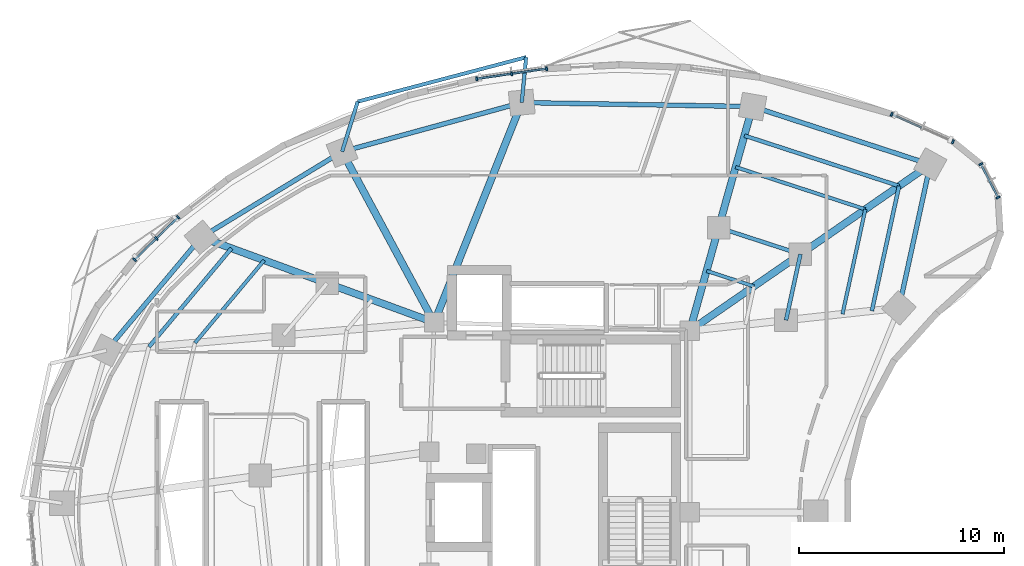
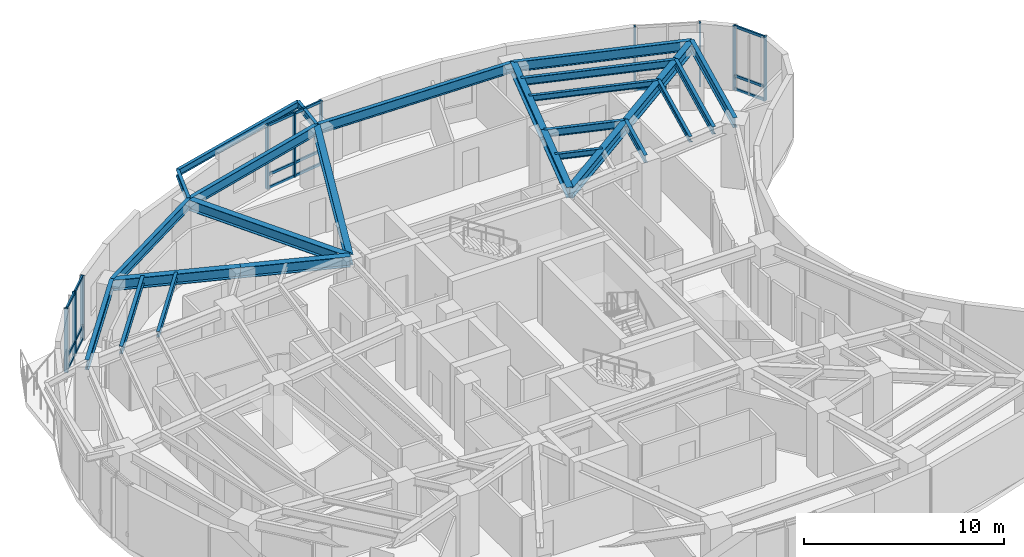
# One storey, part 5 of 15: 26 beams, 26 members, 4 elements without a shape of their own.
"""IFC4 building model written with IfcOpenShell, lengths in metres."""

from ifc_helpers import new_model, si_unit, direction, frame, origin, origin_2d, place, context, subcontext, project, spatial, rectangle, i_section, extrude, material, layer, layer_set, material_profile, profile_set, type_object, element, aggregate, save


model = new_model("IFC4")

# Units and contexts
model_context = context("Model", 3, precision=1e-05, world=origin(), true_north=direction((0.0, 1.0)))
body_context = subcontext(model_context, "Body", "Model", "MODEL_VIEW")
ifc_project = project(units=[si_unit("LENGTHUNIT", "METRE"), si_unit("AREAUNIT", "SQUARE_METRE"), si_unit("VOLUMEUNIT", "CUBIC_METRE"), si_unit("PLANEANGLEUNIT", "RADIAN"), si_unit("MASSUNIT", "GRAM", prefix="KILO")], contexts=[model_context])

# Site, building, storey
site_placement = place(None, origin())
site = spatial("IfcSite", under=ifc_project, at=site_placement, CompositionType="ELEMENT")
building_placement = place(site_placement, origin())
building = spatial("IfcBuilding", under=site, at=building_placement, Name="Korentha Bioscience Tower", CompositionType="ELEMENT")
storey_placement = place(building_placement, frame((0.0, 0.0, 98.39990234375)))
storey = spatial("IfcBuildingStorey", under=building, at=storey_placement, Name="L22", CompositionType="ELEMENT", Elevation=98.39990234375)

# Beams
ifc_material_1 = material(Name="Steel S355", Category="steel")
ifc_material_profile_1 = material_profile(ifc_material_1, i_section(OverallWidth=0.18994140625, OverallDepth=0.45703125, WebThickness=0.009033203125, FlangeThickness=0.014404296875, at=origin_2d()), Name="Steel S355")
ifc_profile_set_1 = profile_set([ifc_material_profile_1], Name="Steel S355 (MB-460)")
beam_type_1 = type_object("IfcBeamType", Name="Mid-Ring Tie Girder W460x74", PredefinedType="BEAM", material=ifc_profile_set_1)
beam_1_placement = place(storey_placement, frame((42.93603515625, 39.57470703125, 3.671630859375), z_axis=(-0.95087582253, 0.309572560361, 0.0), x_axis=(-0.309572560361, -0.95087582253, 0.0)))
element("IfcBeam", 1, at=beam_1_placement, inside=storey, type_object=beam_type_1, Name="L22 Mid-Ring Tie Girder 01", PredefinedType="BEAM", context=body_context, shape_type="SweptSolid", body=[
    extrude(i_section(OverallWidth=0.18994140625, OverallDepth=0.45703125, WebThickness=0.009033203125, FlangeThickness=0.014404296875, at=origin_2d()), origin(), (0.0, 0.0, 1.0), 4.186767578125),
])
beam_2_placement = place(storey_placement, frame((42.235595703125, 36.360595703125, 3.671630859375), z_axis=(0.212928773299, 0.977067724112, 0.0), x_axis=(-0.977067724112, 0.212928773299, 0.0)))
element("IfcBeam", 2, at=beam_2_placement, inside=storey, type_object=beam_type_1, Name="L22 Mid-Ring Tie Girder 16", PredefinedType="BEAM", context=body_context, shape_type="SweptSolid", body=[
    extrude(i_section(OverallWidth=0.18994140625, OverallDepth=0.45703125, WebThickness=0.009033203125, FlangeThickness=0.014404296875, at=origin_2d()), origin(), (0.0, 0.0, 1.0), 3.28955078125),
])

# Curtain wall, members
ifc_material_2 = material(Name="Thermally Broken Aluminium Frame", Category="aluminium")
ifc_layer = layer(ifc_material_2, 0.219970703125, Name="Thermally Broken Aluminium Frame")
ifc_layer_set = layer_set([ifc_layer], Name="Thermally Broken Aluminium Frame (CW-T2)")
curtain_wall_type = type_object("IfcCurtainWallType", Name="Solar-Screened Lab Unitised Curtain Wall CW-T2", PredefinedType="USERDEFINED", material=ifc_layer_set)
curtain_wall_1_placement = place(storey_placement, origin())
curtain_wall_1 = element("IfcCurtainWall", 3, at=curtain_wall_1_placement, inside=storey, type_object=curtain_wall_type, Name="L22 Curtain Wall 01", ObjectType="UNITISED", PredefinedType="USERDEFINED")
ifc_material_3 = material(Name="Anodised Aluminium 6063-T6", Category="aluminium")
ifc_material_profile_2 = material_profile(ifc_material_3, rectangle(XDim=0.090087890625, YDim=0.199951171875, at=origin_2d()), Name="Anodised Aluminium 6063-T6")
ifc_profile_set_2 = profile_set([ifc_material_profile_2], Name="Anodised Aluminium 6063-T6 (CW-MUL)")
member_type_1 = type_object("IfcMemberType", Name="Mullion RECT 90x200", PredefinedType="MULLION", material=ifc_profile_set_2)
member_1_placement = place(storey_placement, frame((50.364013671875, 45.0517578125, 0.0), z_axis=(0.0, 0.0, 1.0), x_axis=(-0.912686563127, 0.408660295952, 0.0)))
member_1 = element("IfcMember", 4, at=member_1_placement, type_object=member_type_1, Name="CW-L22-01 Mullion 1", PredefinedType="MULLION", context=body_context, shape_type="SweptSolid", body=[
    extrude(rectangle(XDim=0.090087890625, YDim=0.199951171875, at=origin_2d()), origin(), (0.0, 0.0, 1.0), 3.900146484375),
])
member_2_placement = place(storey_placement, frame((47.37890625, 46.388427734375, 0.0), z_axis=(0.0, 0.0, 1.0), x_axis=(-0.912686563127, 0.408660295952, 0.0)))
member_2 = element("IfcMember", 5, at=member_2_placement, type_object=member_type_1, Name="CW-L22-01 Mullion 3", PredefinedType="MULLION", context=body_context, shape_type="SweptSolid", body=[
    extrude(rectangle(XDim=0.090087890625, YDim=0.199951171875, at=origin_2d()), origin(), (0.0, 0.0, 1.0), 3.900146484375),
])

curtain_wall_2_placement = place(storey_placement, origin())
curtain_wall_2 = element("IfcCurtainWall", 6, at=curtain_wall_2_placement, inside=storey, type_object=curtain_wall_type, Name="L22 Curtain Wall 07", ObjectType="UNITISED", PredefinedType="USERDEFINED")
member_3_placement = place(storey_placement, frame((30.576416015625, 48.609375, 0.0), z_axis=(0.0, 0.0, 1.0), x_axis=(-0.989738282326, -0.14289203091, 0.0)))
member_3 = element("IfcMember", 7, at=member_3_placement, type_object=member_type_1, Name="CW-L22-07 Mullion 1", PredefinedType="MULLION", context=body_context, shape_type="SweptSolid", body=[
    extrude(rectangle(XDim=0.090087890625, YDim=0.199951171875, at=origin_2d()), origin(), (0.0, 0.0, 1.0), 3.900146484375),
])
member_4_placement = place(storey_placement, frame((28.873291015625, 48.363525390625, 0.0), z_axis=(0.0, 0.0, 1.0), x_axis=(-0.989738282326, -0.14289203091, 0.0)))
member_4 = element("IfcMember", 8, at=member_4_placement, type_object=member_type_1, Name="CW-L22-07 Mullion 2", PredefinedType="MULLION", context=body_context, shape_type="SweptSolid", body=[
    extrude(rectangle(XDim=0.090087890625, YDim=0.199951171875, at=origin_2d()), origin(), (0.0, 0.0, 1.0), 3.900146484375),
])
member_5_placement = place(storey_placement, frame((27.170166015625, 48.11767578125, 0.0), z_axis=(0.0, 0.0, 1.0), x_axis=(-0.989738282326, -0.14289203091, 0.0)))
member_5 = element("IfcMember", 9, at=member_5_placement, type_object=member_type_1, Name="CW-L22-07 Mullion 3", PredefinedType="MULLION", context=body_context, shape_type="SweptSolid", body=[
    extrude(rectangle(XDim=0.090087890625, YDim=0.199951171875, at=origin_2d()), origin(), (0.0, 0.0, 1.0), 3.900146484375),
])

curtain_wall_3_placement = place(storey_placement, origin())
curtain_wall_3 = element("IfcCurtainWall", 10, at=curtain_wall_3_placement, inside=storey, type_object=curtain_wall_type, Name="L22 Curtain Wall 13", ObjectType="UNITISED", PredefinedType="USERDEFINED")
member_6_placement = place(storey_placement, frame((12.631103515625, 41.377197265625, 0.0), z_axis=(0.0, 0.0, 1.0), x_axis=(-0.716095631804, -0.698002182025, 0.0)))
member_6 = element("IfcMember", 11, at=member_6_placement, type_object=member_type_1, Name="CW-L22-13 Mullion 1", PredefinedType="MULLION", context=body_context, shape_type="SweptSolid", body=[
    extrude(rectangle(XDim=0.090087890625, YDim=0.199951171875, at=origin_2d()), origin(), (0.0, 0.0, 1.0), 3.900146484375),
])
member_7_placement = place(storey_placement, frame((11.56689453125, 40.340087890625, 0.0), z_axis=(0.0, 0.0, 1.0), x_axis=(-0.716095631804, -0.698002182025, 0.0)))
member_7 = element("IfcMember", 12, at=member_7_placement, type_object=member_type_1, Name="CW-L22-13 Mullion 2", PredefinedType="MULLION", context=body_context, shape_type="SweptSolid", body=[
    extrude(rectangle(XDim=0.090087890625, YDim=0.199951171875, at=origin_2d()), origin(), (0.0, 0.0, 1.0), 3.900146484375),
])
member_8_placement = place(storey_placement, frame((10.5029296875, 39.302734375, 0.0), z_axis=(0.0, 0.0, 1.0), x_axis=(-0.716095631804, -0.698002182025, 0.0)))
member_8 = element("IfcMember", 13, at=member_8_placement, type_object=member_type_1, Name="CW-L22-13 Mullion 3", PredefinedType="MULLION", context=body_context, shape_type="SweptSolid", body=[
    extrude(rectangle(XDim=0.090087890625, YDim=0.199951171875, at=origin_2d()), origin(), (0.0, 0.0, 1.0), 3.900146484375),
])

curtain_wall_4_placement = place(storey_placement, origin())
curtain_wall_4 = element("IfcCurtainWall", 14, at=curtain_wall_4_placement, inside=storey, type_object=curtain_wall_type, Name="L22 Curtain Wall 61", ObjectType="UNITISED", PredefinedType="USERDEFINED")
member_9_placement = place(storey_placement, frame((52.55859375, 42.337158203125, 0.0), z_axis=(0.0, 0.0, 1.0), x_axis=(-0.457613117169, 0.889151412862, 0.0)))
member_9 = element("IfcMember", 15, at=member_9_placement, type_object=member_type_1, Name="CW-L22-61 Mullion 1", PredefinedType="MULLION", context=body_context, shape_type="SweptSolid", body=[
    extrude(rectangle(XDim=0.090087890625, YDim=0.199951171875, at=origin_2d()), origin(), (0.0, 0.0, 1.0), 3.900146484375),
])
member_10_placement = place(storey_placement, frame((51.722412109375, 43.962158203125, 0.0), z_axis=(0.0, 0.0, 1.0), x_axis=(-0.457613117169, 0.889151412862, 0.0)))
member_10 = element("IfcMember", 16, at=member_10_placement, type_object=member_type_1, Name="CW-L22-61 Mullion 2", PredefinedType="MULLION", context=body_context, shape_type="SweptSolid", body=[
    extrude(rectangle(XDim=0.090087890625, YDim=0.199951171875, at=origin_2d()), origin(), (0.0, 0.0, 1.0), 3.900146484375),
])

# Beams
ifc_material_profile_3 = material_profile(ifc_material_1, i_section(OverallWidth=0.22802734375, OverallDepth=0.60791015625, WebThickness=0.01123046875, FlangeThickness=0.017333984375, at=origin_2d()), Name="Steel S355")
ifc_profile_set_3 = profile_set([ifc_material_profile_3], Name="Steel S355 (SB-610)")
beam_type_2 = type_object("IfcBeamType", Name="Perimeter Ring Spandrel Girder W610x113", PredefinedType="SPANDREL", material=ifc_profile_set_3)
beam_3_placement = place(storey_placement, frame((49.2587890625, 43.947021484375, 3.59619140625), z_axis=(-0.950867758759, 0.309597327755, 0.0), x_axis=(-0.309597327755, -0.950867758759, 0.0)))
element("IfcBeam", 17, at=beam_3_placement, inside=storey, type_object=beam_type_2, Name="L22 Perimeter Spandrel Girder 01", PredefinedType="SPANDREL", context=body_context, shape_type="SweptSolid", body=[
    extrude(i_section(OverallWidth=0.22802734375, OverallDepth=0.60791015625, WebThickness=0.01123046875, FlangeThickness=0.017333984375, at=origin_2d()), origin(), (0.0, 0.0, 1.0), 9.101806640625),
])
beam_4_placement = place(storey_placement, frame((40.604248046875, 46.764892578125, 3.59619140625), z_axis=(-0.999850566826, 0.017287105523, 0.0), x_axis=(-0.017287105523, -0.999850566826, 0.0)))
element("IfcBeam", 18, at=beam_4_placement, inside=storey, type_object=beam_type_2, Name="L22 Perimeter Spandrel Girder 02", PredefinedType="SPANDREL", context=body_context, shape_type="SweptSolid", body=[
    extrude(i_section(OverallWidth=0.22802734375, OverallDepth=0.60791015625, WebThickness=0.01123046875, FlangeThickness=0.017333984375, at=origin_2d()), origin(), (0.0, 0.0, 1.0), 11.24169921875),
])
beam_5_placement = place(storey_placement, frame((29.3642578125, 46.959228515625, 3.59619140625), z_axis=(-0.964659386444, -0.263500034431, 0.0), x_axis=(0.263500034431, -0.964659386444, 0.0)))
element("IfcBeam", 19, at=beam_5_placement, inside=storey, type_object=beam_type_2, Name="L22 Perimeter Spandrel Girder 03", PredefinedType="SPANDREL", context=body_context, shape_type="SweptSolid", body=[
    extrude(i_section(OverallWidth=0.22802734375, OverallDepth=0.60791015625, WebThickness=0.01123046875, FlangeThickness=0.017333984375, at=origin_2d()), origin(), (0.0, 0.0, 1.0), 9.06982421875),
])
beam_6_placement = place(storey_placement, frame((20.614990234375, 44.5693359375, 3.59619140625), z_axis=(-0.854461040474, -0.51951547649, 0.0), x_axis=(0.51951547649, -0.854461040474, 0.0)))
element("IfcBeam", 20, at=beam_6_placement, inside=storey, type_object=beam_type_2, Name="L22 Perimeter Spandrel Girder 04", PredefinedType="SPANDREL", context=body_context, shape_type="SweptSolid", body=[
    extrude(i_section(OverallWidth=0.22802734375, OverallDepth=0.60791015625, WebThickness=0.01123046875, FlangeThickness=0.017333984375, at=origin_2d()), origin(), (0.0, 0.0, 1.0), 8.025146484375),
])
beam_7_placement = place(storey_placement, frame((13.7578125, 40.400146484375, 3.59619140625), z_axis=(-0.642126556076, -0.76659864726, 0.0), x_axis=(0.76659864726, -0.642126556076, 0.0)))
element("IfcBeam", 21, at=beam_7_placement, inside=storey, type_object=beam_type_2, Name="L22 Perimeter Spandrel Girder 05", PredefinedType="SPANDREL", context=body_context, shape_type="SweptSolid", body=[
    extrude(i_section(OverallWidth=0.22802734375, OverallDepth=0.60791015625, WebThickness=0.01123046875, FlangeThickness=0.017333984375, at=origin_2d()), origin(), (0.0, 0.0, 1.0), 7.1884765625),
])
beam_8_placement = place(storey_placement, frame((47.736083984375, 36.959716796875, 3.59619140625), z_axis=(0.212927102256, 0.977068088275, 0.0), x_axis=(-0.977068088275, 0.212927102256, 0.0)))
element("IfcBeam", 22, at=beam_8_placement, inside=storey, type_object=beam_type_2, Name="L22 Perimeter Spandrel Girder 16", PredefinedType="SPANDREL", context=body_context, shape_type="SweptSolid", body=[
    extrude(i_section(OverallWidth=0.22802734375, OverallDepth=0.60791015625, WebThickness=0.01123046875, FlangeThickness=0.017333984375, at=origin_2d()), origin(), (0.0, 0.0, 1.0), 7.1513671875),
])
ifc_material_profile_4 = material_profile(ifc_material_1, i_section(OverallWidth=0.18994140625, OverallDepth=0.45703125, WebThickness=0.009033203125, FlangeThickness=0.014404296875, at=origin_2d()), Name="Steel S355")
ifc_profile_set_4 = profile_set([ifc_material_profile_4], Name="Steel S355 (RB-460)")
beam_type_3 = type_object("IfcBeamType", Name="Radial Laboratory Beam W460x74", PredefinedType="BEAM", material=ifc_profile_set_4)
beam_9_placement = place(storey_placement, frame((47.7412109375, 42.8974609375, 3.671630859375), z_axis=(-0.950866789802, 0.3096003037, 0.0), x_axis=(-0.3096003037, -0.950866789802, 0.0)))
element("IfcBeam", 23, at=beam_9_placement, inside=storey, type_object=beam_type_3, Name="L22 Secondary Floor Beam JSTO-01", PredefinedType="BEAM", context=body_context, shape_type="SweptSolid", body=[
    extrude(i_section(OverallWidth=0.18994140625, OverallDepth=0.45703125, WebThickness=0.009033203125, FlangeThickness=0.014404296875, at=origin_2d()), origin(), (0.0, 0.0, 1.0), 7.921875),
])
beam_10_placement = place(storey_placement, frame((15.227783203125, 39.8623046875, 3.671630859375), z_axis=(-0.642128156066, -0.766597307057, 0.0), x_axis=(0.766597307057, -0.642128156066, 0.0)))
element("IfcBeam", 24, at=beam_10_placement, inside=storey, type_object=beam_type_3, Name="L22 Secondary Floor Beam JSTO-05", PredefinedType="BEAM", context=body_context, shape_type="SweptSolid", body=[
    extrude(i_section(OverallWidth=0.18994140625, OverallDepth=0.45703125, WebThickness=0.009033203125, FlangeThickness=0.014404296875, at=origin_2d()), origin(), (0.0, 0.0, 1.0), 6.257080078125),
])
beam_11_placement = place(storey_placement, frame((46.416015625, 36.81591796875, 3.671630859375), z_axis=(0.21290837934, 0.977072168269, 0.0), x_axis=(-0.977072168269, 0.21290837934, 0.0)))
element("IfcBeam", 25, at=beam_11_placement, inside=storey, type_object=beam_type_3, Name="L22 Secondary Floor Beam JSTO-16", PredefinedType="BEAM", context=body_context, shape_type="SweptSolid", body=[
    extrude(i_section(OverallWidth=0.18994140625, OverallDepth=0.45703125, WebThickness=0.009033203125, FlangeThickness=0.014404296875, at=origin_2d()), origin(), (0.0, 0.0, 1.0), 6.224365234375),
])
ifc_material_profile_5 = material_profile(ifc_material_1, i_section(OverallWidth=0.35009765625, OverallDepth=0.64990234375, WebThickness=0.01611328125, FlangeThickness=0.02490234375, at=origin_2d()), Name="Steel S355")
ifc_profile_set_5 = profile_set([ifc_material_profile_5], Name="Steel S355 (RB-650)")
beam_type_4 = type_object("IfcBeamType", Name="Radial Laboratory Girder CVS 650x208", PredefinedType="BEAM", material=ifc_profile_set_5)
beam_12_placement = place(storey_placement, frame((37.550048828125, 35.85009765625, 3.5751953125), z_axis=(0.822488699387, 0.568781451333, 0.0), x_axis=(-0.568781451333, 0.822488699387, 0.0)))
element("IfcBeam", 26, at=beam_12_placement, inside=storey, type_object=beam_type_4, Name="L22 Inner Radial Girder 01", PredefinedType="BEAM", context=body_context, shape_type="SweptSolid", body=[
    extrude(i_section(OverallWidth=0.35009765625, OverallDepth=0.64990234375, WebThickness=0.01611328125, FlangeThickness=0.02490234375, at=origin_2d()), origin(), (0.0, 0.0, 1.0), 6.54833984375),
])
beam_13_placement = place(storey_placement, frame((42.93603515625, 39.57470703125, 3.5751953125), z_axis=(0.822495056204, 0.568772258922, 0.0), x_axis=(-0.568772258922, 0.822495056204, 0.0)))
element("IfcBeam", 27, at=beam_13_placement, inside=storey, type_object=beam_type_4, Name="L22 Outer Radial Girder 01", PredefinedType="BEAM", context=body_context, shape_type="SweptSolid", body=[
    extrude(i_section(OverallWidth=0.35009765625, OverallDepth=0.64990234375, WebThickness=0.01611328125, FlangeThickness=0.02490234375, at=origin_2d()), origin(), (0.0, 0.0, 1.0), 7.687255859375),
])
beam_14_placement = place(storey_placement, frame((37.550048828125, 35.85009765625, 3.5751953125), z_axis=(0.269447542125, 0.96301506844, 0.0), x_axis=(-0.96301506844, 0.269447542125, 0.0)))
element("IfcBeam", 28, at=beam_14_placement, inside=storey, type_object=beam_type_4, Name="L22 Inner Radial Girder 02", PredefinedType="BEAM", context=body_context, shape_type="SweptSolid", body=[
    extrude(i_section(OverallWidth=0.35009765625, OverallDepth=0.64990234375, WebThickness=0.01611328125, FlangeThickness=0.02490234375, at=origin_2d()), origin(), (0.0, 0.0, 1.0), 5.213623046875),
])
beam_15_placement = place(storey_placement, frame((38.954833984375, 40.870849609375, 3.5751953125), z_axis=(0.269490843458, 0.963002951861, 0.0), x_axis=(-0.963002951861, 0.269490843458, 0.0)))
element("IfcBeam", 29, at=beam_15_placement, inside=storey, type_object=beam_type_4, Name="L22 Outer Radial Girder 02", PredefinedType="BEAM", context=body_context, shape_type="SweptSolid", body=[
    extrude(i_section(OverallWidth=0.35009765625, OverallDepth=0.64990234375, WebThickness=0.01611328125, FlangeThickness=0.02490234375, at=origin_2d()), origin(), (0.0, 0.0, 1.0), 6.120361328125),
])
beam_16_placement = place(storey_placement, frame((25.10009765625, 36.25, 3.5751953125), z_axis=(0.369929528493, 0.929059817207, 0.0), x_axis=(-0.929059817207, 0.369929528493, 0.0)))
element("IfcBeam", 30, at=beam_16_placement, inside=storey, type_object=beam_type_4, Name="L22 Radial Girder 03", PredefinedType="BEAM", context=body_context, shape_type="SweptSolid", body=[
    extrude(i_section(OverallWidth=0.35009765625, OverallDepth=0.64990234375, WebThickness=0.01611328125, FlangeThickness=0.02490234375, at=origin_2d()), origin(), (0.0, 0.0, 1.0), 11.52685546875),
])
beam_17_placement = place(storey_placement, frame((25.10009765625, 36.25, 3.5751953125), z_axis=(-0.474548018732, 0.880229616587, 0.0), x_axis=(-0.880229616587, -0.474548018732, 0.0)))
element("IfcBeam", 31, at=beam_17_placement, inside=storey, type_object=beam_type_4, Name="L22 Radial Girder 04", PredefinedType="BEAM", context=body_context, shape_type="SweptSolid", body=[
    extrude(i_section(OverallWidth=0.35009765625, OverallDepth=0.64990234375, WebThickness=0.01611328125, FlangeThickness=0.02490234375, at=origin_2d()), origin(), (0.0, 0.0, 1.0), 9.451416015625),
])
beam_18_placement = place(storey_placement, frame((25.10009765625, 36.25, 3.5751953125), z_axis=(-0.939118010396, 0.343594765022, 0.0), x_axis=(-0.343594765022, -0.939118010396, 0.0)))
element("IfcBeam", 32, at=beam_18_placement, inside=storey, type_object=beam_type_4, Name="L22 Inner Radial Girder 05", PredefinedType="BEAM", context=body_context, shape_type="SweptSolid", body=[
    extrude(i_section(OverallWidth=0.35009765625, OverallDepth=0.64990234375, WebThickness=0.01611328125, FlangeThickness=0.02490234375, at=origin_2d()), origin(), (0.0, 0.0, 1.0), 5.5556640625),
])
beam_19_placement = place(storey_placement, frame((19.882568359375, 38.158935546875, 3.5751953125), z_axis=(-0.939100755225, 0.343641923425, 0.0), x_axis=(-0.343641923425, -0.939100755225, 0.0)))
element("IfcBeam", 33, at=beam_19_placement, inside=storey, type_object=beam_type_4, Name="L22 Outer Radial Girder 05", PredefinedType="BEAM", context=body_context, shape_type="SweptSolid", body=[
    extrude(i_section(OverallWidth=0.35009765625, OverallDepth=0.64990234375, WebThickness=0.01611328125, FlangeThickness=0.02490234375, at=origin_2d()), origin(), (0.0, 0.0, 1.0), 6.52197265625),
])
ifc_material_profile_6 = material_profile(ifc_material_1, i_section(OverallWidth=0.1708984375, OverallDepth=0.35498046875, WebThickness=0.007080078125, FlangeThickness=0.01171875, at=origin_2d()), Name="Steel S355")
ifc_profile_set_6 = profile_set([ifc_material_profile_6], Name="Steel S355 (JB-360)")
beam_type_5 = type_object("IfcBeamType", Name="Secondary Laboratory Joist W360x51", PredefinedType="JOIST", material=ifc_profile_set_6)
beam_20_placement = place(storey_placement, frame((46.097412109375, 41.7607421875, 3.72265625), z_axis=(-0.950864890997, 0.309606135387, 0.0), x_axis=(-0.309606135387, -0.950864890997, 0.0)))
element("IfcBeam", 34, at=beam_20_placement, inside=storey, type_object=beam_type_5, Name="L22 Secondary Floor Beam JST-01", PredefinedType="JOIST", context=body_context, shape_type="SweptSolid", body=[
    extrude(i_section(OverallWidth=0.1708984375, OverallDepth=0.35498046875, WebThickness=0.007080078125, FlangeThickness=0.01171875, at=origin_2d()), origin(), (0.0, 0.0, 1.0), 6.644287109375),
])
beam_21_placement = place(storey_placement, frame((40.673828125, 38.01025390625, 3.72265625), z_axis=(-0.950852158547, 0.30964523666, 0.0), x_axis=(-0.30964523666, -0.950852158547, 0.0)))
element("IfcBeam", 35, at=beam_21_placement, inside=storey, type_object=beam_type_5, Name="L22 Inner Bay Joist 01", PredefinedType="JOIST", context=body_context, shape_type="SweptSolid", body=[
    extrude(i_section(OverallWidth=0.1708984375, OverallDepth=0.35498046875, WebThickness=0.007080078125, FlangeThickness=0.01171875, at=origin_2d()), origin(), (0.0, 0.0, 1.0), 2.428466796875),
])
beam_22_placement = place(storey_placement, frame((16.8203125, 39.279541015625, 3.72265625), z_axis=(-0.642140812018, -0.76658670582, 0.0), x_axis=(0.76658670582, -0.642140812018, 0.0)))
element("IfcBeam", 36, at=beam_22_placement, inside=storey, type_object=beam_type_5, Name="L22 Secondary Floor Beam JST-05", PredefinedType="JOIST", context=body_context, shape_type="SweptSolid", body=[
    extrude(i_section(OverallWidth=0.1708984375, OverallDepth=0.35498046875, WebThickness=0.007080078125, FlangeThickness=0.01171875, at=origin_2d()), origin(), (0.0, 0.0, 1.0), 5.247802734375),
])
beam_23_placement = place(storey_placement, frame((44.98583984375, 36.66015625, 3.72265625), z_axis=(0.212932493609, 0.977066913351, 0.0), x_axis=(-0.977066913351, 0.212932493609, 0.0)))
element("IfcBeam", 37, at=beam_23_placement, inside=storey, type_object=beam_type_5, Name="L22 Secondary Floor Beam JST-16", PredefinedType="JOIST", context=body_context, shape_type="SweptSolid", body=[
    extrude(i_section(OverallWidth=0.1708984375, OverallDepth=0.35498046875, WebThickness=0.007080078125, FlangeThickness=0.01171875, at=origin_2d()), origin(), (0.0, 0.0, 1.0), 5.22021484375),
])
ifc_material_profile_7 = material_profile(ifc_material_1, i_section(OverallWidth=0.177978515625, OverallDepth=0.406982421875, WebThickness=0.0078125, FlangeThickness=0.0126953125, at=origin_2d()), Name="Steel S355")
ifc_profile_set_7 = profile_set([ifc_material_profile_7], Name="Steel S355 (CB-410)")
beam_type_6 = type_object("IfcBeamType", Name="Sun-Ledge Cantilever Beam W410x60", PredefinedType="BEAM", material=ifc_profile_set_7)
beam_24_placement = place(storey_placement, frame((29.3642578125, 46.959228515625, 3.698486328125), z_axis=(0.096387491069, 0.995343886084, 0.0), x_axis=(-0.995343886084, 0.096387491069, 0.0)))
element("IfcBeam", 38, at=beam_24_placement, inside=storey, type_object=beam_type_6, Name="L22 Balcony Cantilever Bracket A-L23-01", PredefinedType="BEAM", context=body_context, shape_type="SweptSolid", body=[
    extrude(i_section(OverallWidth=0.177978515625, OverallDepth=0.406982421875, WebThickness=0.0078125, FlangeThickness=0.0126953125, at=origin_2d()), origin(), (0.0, 0.0, 1.0), 2.21875),
])
beam_25_placement = place(storey_placement, frame((20.614990234375, 44.5693359375, 3.698486328125), z_axis=(0.296781492489, 0.954945415045, 0.0), x_axis=(-0.954945415045, 0.296781492489, 0.0)))
element("IfcBeam", 39, at=beam_25_placement, inside=storey, type_object=beam_type_6, Name="L22 Balcony Cantilever Bracket B-L23-01", PredefinedType="BEAM", context=body_context, shape_type="SweptSolid", body=[
    extrude(i_section(OverallWidth=0.177978515625, OverallDepth=0.406982421875, WebThickness=0.0078125, FlangeThickness=0.0126953125, at=origin_2d()), origin(), (0.0, 0.0, 1.0), 2.551025390625),
])
beam_26_placement = place(storey_placement, frame((29.578125, 49.167724609375, 3.698486328125), z_axis=(-0.966991382873, -0.254809076464, 0.0), x_axis=(0.254809076464, -0.966991382873, 0.0)))
element("IfcBeam", 40, at=beam_26_placement, inside=storey, type_object=beam_type_6, Name="L22 Balcony Edge Trimmer Beam L23-01", PredefinedType="BEAM", context=body_context, shape_type="SweptSolid", body=[
    extrude(i_section(OverallWidth=0.177978515625, OverallDepth=0.406982421875, WebThickness=0.0078125, FlangeThickness=0.0126953125, at=origin_2d()), origin(), (0.0, 0.0, 1.0), 8.486083984375),
])

# Member
ifc_material_profile_8 = material_profile(ifc_material_3, rectangle(XDim=0.090087890625, YDim=0.159912109375, at=origin_2d()), Name="Anodised Aluminium 6063-T6")
ifc_profile_set_8 = profile_set([ifc_material_profile_8], Name="Anodised Aluminium 6063-T6 (CW-TRN)")
member_type_2 = type_object("IfcMemberType", Name="Transom RECT 90x160", PredefinedType="USERDEFINED", material=ifc_profile_set_8)
member_11_placement = place(storey_placement, frame((48.830322265625, 45.738525390625, 0.045166015625), z_axis=(-0.912667864607, 0.408702053962, 0.0), x_axis=(-0.408702053962, -0.912667864607, 0.0)))
member_11 = element("IfcMember", 41, at=member_11_placement, type_object=member_type_2, Name="CW-L22-01 Bay 2 Transom 1", ObjectType="TRANSOM", PredefinedType="USERDEFINED", context=body_context, shape_type="SweptSolid", body=[
    extrude(rectangle(XDim=0.090087890625, YDim=0.159912109375, at=origin_2d()), origin(), (0.0, 0.0, 1.0), 1.54541015625),
])

aggregate(curtain_wall_1, [member_1, member_2, member_11])

member_12_placement = place(storey_placement, frame((30.53173828125, 48.602783203125, 0.045166015625), z_axis=(-0.989747883164, -0.142825515132, 0.0), x_axis=(0.142825515132, -0.989747883164, 0.0)))
member_12 = element("IfcMember", 42, at=member_12_placement, type_object=member_type_2, Name="CW-L22-07 Bay 1 Transom 1", ObjectType="TRANSOM", PredefinedType="USERDEFINED", context=body_context, shape_type="SweptSolid", body=[
    extrude(rectangle(XDim=0.090087890625, YDim=0.159912109375, at=origin_2d()), origin(), (0.0, 0.0, 1.0), 1.630615234375),
])

member_13_placement = place(storey_placement, frame((30.53173828125, 48.602783203125, 0.85009765625), z_axis=(-0.989747883164, -0.142825515132, 0.0), x_axis=(0.142825515132, -0.989747883164, 0.0)))
member_13 = element("IfcMember", 43, at=member_13_placement, type_object=member_type_2, Name="CW-L22-07 Bay 1 Transom 2", ObjectType="TRANSOM", PredefinedType="USERDEFINED", context=body_context, shape_type="SweptSolid", body=[
    extrude(rectangle(XDim=0.090087890625, YDim=0.159912109375, at=origin_2d()), origin(), (0.0, 0.0, 1.0), 1.630615234375),
])

member_14_placement = place(storey_placement, frame((30.53173828125, 48.602783203125, 3.85498046875), z_axis=(-0.989747883164, -0.142825515132, 0.0), x_axis=(0.142825515132, -0.989747883164, 0.0)))
member_14 = element("IfcMember", 44, at=member_14_placement, type_object=member_type_2, Name="CW-L22-07 Bay 1 Transom 3", ObjectType="TRANSOM", PredefinedType="USERDEFINED", context=body_context, shape_type="SweptSolid", body=[
    extrude(rectangle(XDim=0.090087890625, YDim=0.159912109375, at=origin_2d()), origin(), (0.0, 0.0, 1.0), 1.630615234375),
])

member_15_placement = place(storey_placement, frame((28.82861328125, 48.357177734375, 0.045166015625), z_axis=(-0.989723648346, -0.142993356153, 0.0), x_axis=(0.142993356153, -0.989723648346, 0.0)))
member_15 = element("IfcMember", 45, at=member_15_placement, type_object=member_type_2, Name="CW-L22-07 Bay 2 Transom 1", ObjectType="TRANSOM", PredefinedType="USERDEFINED", context=body_context, shape_type="SweptSolid", body=[
    extrude(rectangle(XDim=0.090087890625, YDim=0.159912109375, at=origin_2d()), origin(), (0.0, 0.0, 1.0), 1.630615234375),
])

member_16_placement = place(storey_placement, frame((28.82861328125, 48.357177734375, 0.85009765625), z_axis=(-0.989723648346, -0.142993356153, 0.0), x_axis=(0.142993356153, -0.989723648346, 0.0)))
member_16 = element("IfcMember", 46, at=member_16_placement, type_object=member_type_2, Name="CW-L22-07 Bay 2 Transom 2", ObjectType="TRANSOM", PredefinedType="USERDEFINED", context=body_context, shape_type="SweptSolid", body=[
    extrude(rectangle(XDim=0.090087890625, YDim=0.159912109375, at=origin_2d()), origin(), (0.0, 0.0, 1.0), 1.630615234375),
])

member_17_placement = place(storey_placement, frame((28.82861328125, 48.357177734375, 3.85498046875), z_axis=(-0.989723648346, -0.142993356153, 0.0), x_axis=(0.142993356153, -0.989723648346, 0.0)))
member_17 = element("IfcMember", 47, at=member_17_placement, type_object=member_type_2, Name="CW-L22-07 Bay 2 Transom 3", ObjectType="TRANSOM", PredefinedType="USERDEFINED", context=body_context, shape_type="SweptSolid", body=[
    extrude(rectangle(XDim=0.090087890625, YDim=0.159912109375, at=origin_2d()), origin(), (0.0, 0.0, 1.0), 1.630615234375),
])

aggregate(curtain_wall_2, [member_3, member_4, member_5, member_12, member_13, member_14, member_15, member_16, member_17])

member_18_placement = place(storey_placement, frame((12.598876953125, 41.345703125, 0.045166015625), z_axis=(-0.716142170971, -0.697954433296, 0.0), x_axis=(0.697954433296, -0.716142170971, 0.0)))
member_18 = element("IfcMember", 48, at=member_18_placement, type_object=member_type_2, Name="CW-L22-13 Bay 1 Transom 1", ObjectType="TRANSOM", PredefinedType="USERDEFINED", context=body_context, shape_type="SweptSolid", body=[
    extrude(rectangle(XDim=0.090087890625, YDim=0.159912109375, at=origin_2d()), origin(), (0.0, 0.0, 1.0), 1.39599609375),
])

member_19_placement = place(storey_placement, frame((12.598876953125, 41.345703125, 0.85009765625), z_axis=(-0.716142170971, -0.697954433296, 0.0), x_axis=(0.697954433296, -0.716142170971, 0.0)))
member_19 = element("IfcMember", 49, at=member_19_placement, type_object=member_type_2, Name="CW-L22-13 Bay 1 Transom 2", ObjectType="TRANSOM", PredefinedType="USERDEFINED", context=body_context, shape_type="SweptSolid", body=[
    extrude(rectangle(XDim=0.090087890625, YDim=0.159912109375, at=origin_2d()), origin(), (0.0, 0.0, 1.0), 1.39599609375),
])

member_20_placement = place(storey_placement, frame((12.598876953125, 41.345703125, 3.85498046875), z_axis=(-0.716142170971, -0.697954433296, 0.0), x_axis=(0.697954433296, -0.716142170971, 0.0)))
member_20 = element("IfcMember", 50, at=member_20_placement, type_object=member_type_2, Name="CW-L22-13 Bay 1 Transom 3", ObjectType="TRANSOM", PredefinedType="USERDEFINED", context=body_context, shape_type="SweptSolid", body=[
    extrude(rectangle(XDim=0.090087890625, YDim=0.159912109375, at=origin_2d()), origin(), (0.0, 0.0, 1.0), 1.39599609375),
])

member_21_placement = place(storey_placement, frame((11.534912109375, 40.30859375, 0.045166015625), z_axis=(-0.716142170971, -0.697954433296, 0.0), x_axis=(0.697954433296, -0.716142170971, 0.0)))
member_21 = element("IfcMember", 51, at=member_21_placement, type_object=member_type_2, Name="CW-L22-13 Bay 2 Transom 1", ObjectType="TRANSOM", PredefinedType="USERDEFINED", context=body_context, shape_type="SweptSolid", body=[
    extrude(rectangle(XDim=0.090087890625, YDim=0.159912109375, at=origin_2d()), origin(), (0.0, 0.0, 1.0), 1.39599609375),
])

member_22_placement = place(storey_placement, frame((11.534912109375, 40.30859375, 0.85009765625), z_axis=(-0.716142170971, -0.697954433296, 0.0), x_axis=(0.697954433296, -0.716142170971, 0.0)))
member_22 = element("IfcMember", 52, at=member_22_placement, type_object=member_type_2, Name="CW-L22-13 Bay 2 Transom 2", ObjectType="TRANSOM", PredefinedType="USERDEFINED", context=body_context, shape_type="SweptSolid", body=[
    extrude(rectangle(XDim=0.090087890625, YDim=0.159912109375, at=origin_2d()), origin(), (0.0, 0.0, 1.0), 1.39599609375),
])

member_23_placement = place(storey_placement, frame((11.534912109375, 40.30859375, 3.85498046875), z_axis=(-0.716142170971, -0.697954433296, 0.0), x_axis=(0.697954433296, -0.716142170971, 0.0)))
member_23 = element("IfcMember", 53, at=member_23_placement, type_object=member_type_2, Name="CW-L22-13 Bay 2 Transom 3", ObjectType="TRANSOM", PredefinedType="USERDEFINED", context=body_context, shape_type="SweptSolid", body=[
    extrude(rectangle(XDim=0.090087890625, YDim=0.159912109375, at=origin_2d()), origin(), (0.0, 0.0, 1.0), 1.39599609375),
])

aggregate(curtain_wall_3, [member_6, member_7, member_8, member_18, member_19, member_20, member_21, member_22, member_23])

member_24_placement = place(storey_placement, frame((52.5380859375, 42.377197265625, 0.045166015625), z_axis=(-0.457636897633, 0.889139173541, 0.0), x_axis=(-0.889139173541, -0.457636897633, 0.0)))
member_24 = element("IfcMember", 54, at=member_24_placement, type_object=member_type_2, Name="CW-L22-61 Bay 1 Transom 1", ObjectType="TRANSOM", PredefinedType="USERDEFINED", context=body_context, shape_type="SweptSolid", body=[
    extrude(rectangle(XDim=0.090087890625, YDim=0.159912109375, at=origin_2d()), origin(), (0.0, 0.0, 1.0), 1.737548828125),
])

member_25_placement = place(storey_placement, frame((52.5380859375, 42.377197265625, 0.85009765625), z_axis=(-0.457636897633, 0.889139173541, 0.0), x_axis=(-0.889139173541, -0.457636897633, 0.0)))
member_25 = element("IfcMember", 55, at=member_25_placement, type_object=member_type_2, Name="CW-L22-61 Bay 1 Transom 2", ObjectType="TRANSOM", PredefinedType="USERDEFINED", context=body_context, shape_type="SweptSolid", body=[
    extrude(rectangle(XDim=0.090087890625, YDim=0.159912109375, at=origin_2d()), origin(), (0.0, 0.0, 1.0), 1.737548828125),
])

member_26_placement = place(storey_placement, frame((52.5380859375, 42.377197265625, 3.85498046875), z_axis=(-0.457636897633, 0.889139173541, 0.0), x_axis=(-0.889139173541, -0.457636897633, 0.0)))
member_26 = element("IfcMember", 56, at=member_26_placement, type_object=member_type_2, Name="CW-L22-61 Bay 1 Transom 3", ObjectType="TRANSOM", PredefinedType="USERDEFINED", context=body_context, shape_type="SweptSolid", body=[
    extrude(rectangle(XDim=0.090087890625, YDim=0.159912109375, at=origin_2d()), origin(), (0.0, 0.0, 1.0), 1.737548828125),
])

aggregate(curtain_wall_4, [member_9, member_10, member_24, member_25, member_26])

save(model, "model.ifc")
